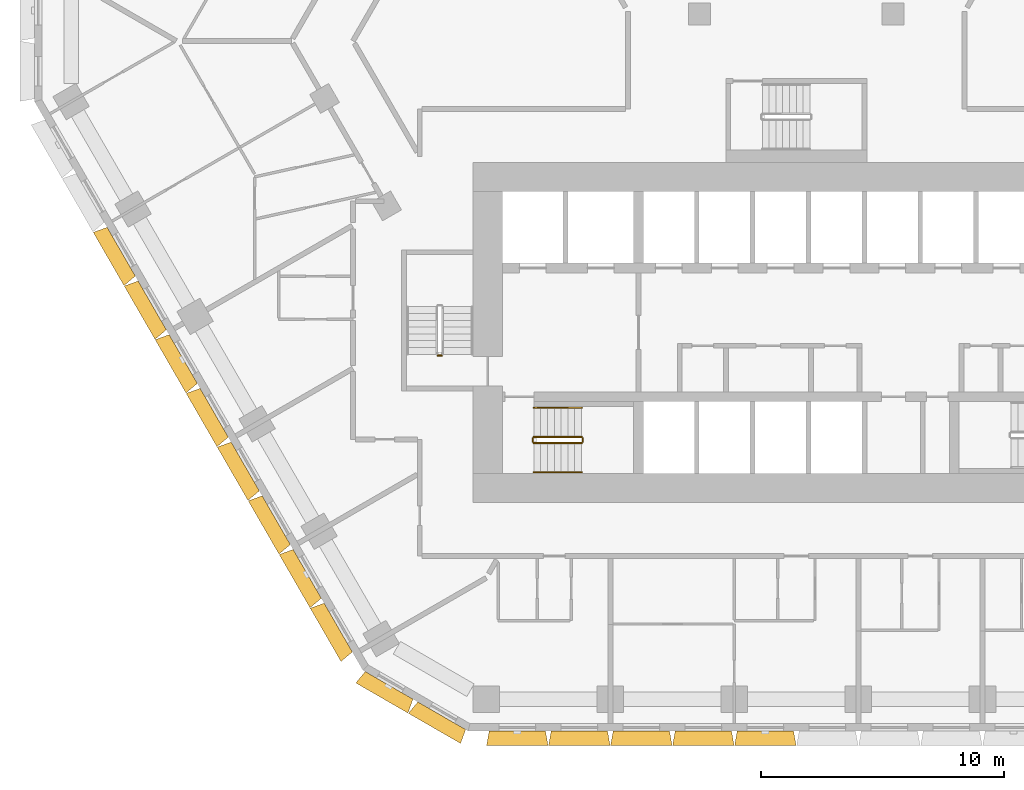
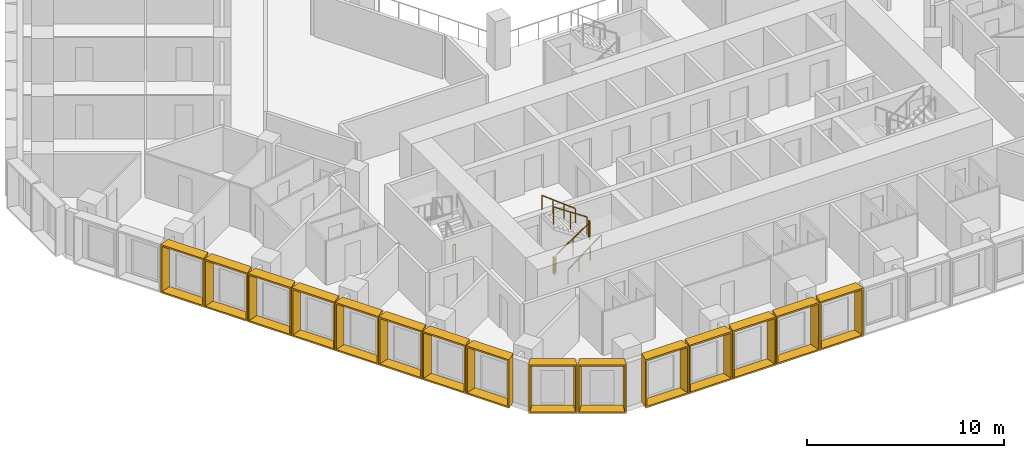
# One storey, part 18 of 21: 15 shading devices, 7 railings.
"""IFC4 building model written with IfcOpenShell, lengths in metres."""

from ifc_helpers import new_model, entity, si_unit, direction, frame, origin, origin_2d, place, context, subcontext, project, spatial, rectangle, extrude, source, transform, mapped, material, type_object, type_shapes, element, save


model = new_model("IFC4")

# Units and contexts
model_context = context("Model", 3, precision=1e-05, world=origin(), true_north=direction((0.0, 1.0)))
body_context = subcontext(model_context, "Body", "Model", "MODEL_VIEW")
ifc_project = project(units=[si_unit("LENGTHUNIT", "METRE"), si_unit("AREAUNIT", "SQUARE_METRE"), si_unit("VOLUMEUNIT", "CUBIC_METRE"), si_unit("PLANEANGLEUNIT", "RADIAN"), si_unit("MASSUNIT", "GRAM", prefix="KILO")], contexts=[model_context])

# Site, building, storey
site_placement = place(None, origin())
site = spatial("IfcSite", under=ifc_project, at=site_placement, CompositionType="ELEMENT")
building_placement = place(site_placement, origin())
building = spatial("IfcBuilding", under=site, at=building_placement, Name="Beryl Residences", CompositionType="ELEMENT")
storey_placement = place(building_placement, frame((0.0, 0.0, 29.39990234375)))
storey = spatial("IfcBuildingStorey", under=building, at=storey_placement, Name="L08", CompositionType="ELEMENT", Elevation=29.39990234375)

# Shading devices
ifc_material_1 = material(Name="Aluminium pale anodised", Category="aluminium")
shading_device_type_1 = type_object("IfcShadingDeviceType", Name="FR250-60A OUTER SKIN frame 600 mm deep, splay 10/10 deg, 2500 x 3000 mm cell", PredefinedType="USERDEFINED", material=ifc_material_1)
cartesian_point_1 = entity("IfcCartesianPoint", [-1.134033203125, 0.0])
cartesian_point_2 = entity("IfcCartesianPoint", [-1.052734375, 0.10009765625])
cartesian_point_3 = entity("IfcCartesianPoint", [-1.23974609375, 0.0])
cartesian_point_4 = entity("IfcCartesianPoint", [-1.158447265625, 0.10009765625])
shared_shape_1 = source(origin(), body_context, "Body", "SweptSolid", [
    entity("IfcExtrudedAreaSolidTapered", entity("IfcArbitraryProfileDefWithVoids", "AREA", None, entity("IfcPolyline", [cartesian_point_1, entity("IfcCartesianPoint", [1.134033203125, 0.0]), entity("IfcCartesianPoint", [1.134033203125, 3.0]), entity("IfcCartesianPoint", [-1.134033203125, 3.0]), cartesian_point_1]), [entity("IfcPolyline", [cartesian_point_2, entity("IfcCartesianPoint", [1.052734375, 0.10009765625]), entity("IfcCartesianPoint", [1.052734375, 2.89990234375]), entity("IfcCartesianPoint", [-1.052734375, 2.89990234375]), cartesian_point_2])]), entity("IfcAxis2Placement3D", entity("IfcCartesianPoint", [0.0, 0.0, 0.0]), entity("IfcDirection", [0.0, 1.0, 0.0]), entity("IfcDirection", [-1.0, 0.0, 0.0])), entity("IfcDirection", [0.0, 0.0, 1.0]), 0.60009765625, entity("IfcArbitraryProfileDefWithVoids", "AREA", None, entity("IfcPolyline", [cartesian_point_3, entity("IfcCartesianPoint", [1.23974609375, 0.0]), entity("IfcCartesianPoint", [1.23974609375, 3.0]), entity("IfcCartesianPoint", [-1.23974609375, 3.0]), cartesian_point_3]), [entity("IfcPolyline", [cartesian_point_4, entity("IfcCartesianPoint", [1.158447265625, 0.10009765625]), entity("IfcCartesianPoint", [1.158447265625, 2.89990234375]), entity("IfcCartesianPoint", [-1.158447265625, 2.89990234375]), cartesian_point_4])])),
])
type_shapes(shading_device_type_1, [shared_shape_1])
for number, where, z_axis, x_axis, name in (
    (1, (-16.758056640625, -26.52490234375, 0.0), (0.0, 0.0, 1.0), (-0.866025403784, 0.5, 0.0), "FR250-60A frame L08 SW-S 1"),
    (2, (-14.593017578125, -27.77490234375, 0.0), (0.0, 0.0, 1.0), (-0.866025403784, 0.5, 0.0), "FR250-60A frame L08 SW-S 2"),
):
    element("IfcShadingDevice", number, at=place(storey_placement, frame(where, z_axis=z_axis, x_axis=x_axis)), inside=storey, type_object=shading_device_type_1, Name=name, ObjectType="OUTER SKIN", PredefinedType="USERDEFINED", context=body_context, shape_type="MappedRepresentation", body=[
        mapped(shared_shape_1, transform((0.0, 0.0, 0.0))),
    ])
ifc_material_2 = material(Name="Aluminium pale anodised", Category="aluminium")
shading_device_type_2 = type_object("IfcShadingDeviceType", Name="FR255-60A OUTER SKIN frame 600 mm deep, splay 10/10 deg, 2550 x 3000 mm cell", PredefinedType="USERDEFINED", material=ifc_material_2)
cartesian_point_5 = entity("IfcCartesianPoint", [-1.158935546875, 0.0])
cartesian_point_6 = entity("IfcCartesianPoint", [-1.077880859375, 0.10009765625])
cartesian_point_7 = entity("IfcCartesianPoint", [-1.264892578125, 0.0])
cartesian_point_8 = entity("IfcCartesianPoint", [-1.18359375, 0.10009765625])
shared_shape_2 = source(origin(), body_context, "Body", "SweptSolid", [
    entity("IfcExtrudedAreaSolidTapered", entity("IfcArbitraryProfileDefWithVoids", "AREA", None, entity("IfcPolyline", [cartesian_point_5, entity("IfcCartesianPoint", [1.158935546875, 0.0]), entity("IfcCartesianPoint", [1.158935546875, 3.0]), entity("IfcCartesianPoint", [-1.158935546875, 3.0]), cartesian_point_5]), [entity("IfcPolyline", [cartesian_point_6, entity("IfcCartesianPoint", [1.077880859375, 0.10009765625]), entity("IfcCartesianPoint", [1.077880859375, 2.89990234375]), entity("IfcCartesianPoint", [-1.077880859375, 2.89990234375]), cartesian_point_6])]), entity("IfcAxis2Placement3D", entity("IfcCartesianPoint", [0.0, 0.0, 0.0]), entity("IfcDirection", [0.0, 1.0, 0.0]), entity("IfcDirection", [-1.0, 0.0, 0.0])), entity("IfcDirection", [0.0, 0.0, 1.0]), 0.60009765625, entity("IfcArbitraryProfileDefWithVoids", "AREA", None, entity("IfcPolyline", [cartesian_point_7, entity("IfcCartesianPoint", [1.264892578125, 0.0]), entity("IfcCartesianPoint", [1.264892578125, 3.0]), entity("IfcCartesianPoint", [-1.264892578125, 3.0]), cartesian_point_7]), [entity("IfcPolyline", [cartesian_point_8, entity("IfcCartesianPoint", [1.18359375, 0.10009765625]), entity("IfcCartesianPoint", [1.18359375, 2.89990234375]), entity("IfcCartesianPoint", [-1.18359375, 2.89990234375]), cartesian_point_8])])),
])
type_shapes(shading_device_type_2, [shared_shape_2])
for number, where, z_axis, x_axis, name in (
    (3, (-27.783935546875, -8.676025390625, 0.0), (0.0, 0.0, 1.0), (-0.5, 0.866025403784, 0.0), "FR255-60A frame L08 SW 3"),
    (4, (-26.508056640625, -10.885986328125, 0.0), (0.0, 0.0, 1.0), (-0.5, 0.866025403784, 0.0), "FR255-60A frame L08 SW 4"),
    (5, (-25.23193359375, -13.095947265625, 0.0), (0.0, 0.0, 1.0), (-0.5, 0.866025403784, 0.0), "FR255-60A frame L08 SW 5"),
    (6, (-23.95703125, -15.305908203125, 0.0), (0.0, 0.0, 1.0), (-0.5, 0.866025403784, 0.0), "FR255-60A frame L08 SW 6"),
    (7, (-22.680908203125, -17.51611328125, 0.0), (0.0, 0.0, 1.0), (-0.5, 0.866025403784, 0.0), "FR255-60A frame L08 SW 7"),
    (8, (-21.405029296875, -19.72607421875, 0.0), (0.0, 0.0, 1.0), (-0.5, 0.866025403784, 0.0), "FR255-60A frame L08 SW 8"),
    (9, (-20.12890625, -21.93603515625, 0.0), (0.0, 0.0, 1.0), (-0.5, 0.866025403784, 0.0), "FR255-60A frame L08 SW 9"),
    (10, (-18.85302734375, -24.14599609375, 0.0), (0.0, 0.0, 1.0), (-0.5, 0.866025403784, 0.0), "FR255-60A frame L08 SW 10"),
    (11, (-11.48291015625, -28.39990234375, 0.0), (0.0, 0.0, 1.0), (-1.0, 0.0, 0.0), "FR255-60A frame L08 S 1"),
    (12, (-8.930908203125, -28.39990234375, 0.0), (0.0, 0.0, 1.0), (-1.0, 0.0, 0.0), "FR255-60A frame L08 S 2"),
    (13, (-6.37890625, -28.39990234375, 0.0), (0.0, 0.0, 1.0), (-1.0, 0.0, 0.0), "FR255-60A frame L08 S 3"),
    (14, (-3.826904296875, -28.39990234375, 0.0), (0.0, 0.0, 1.0), (-1.0, 0.0, 0.0), "FR255-60A frame L08 S 4"),
    (15, (-1.27490234375, -28.39990234375, 0.0), (0.0, 0.0, 1.0), (-1.0, 0.0, 0.0), "FR255-60A frame L08 S 5"),
):
    element("IfcShadingDevice", number, at=place(storey_placement, frame(where, z_axis=z_axis, x_axis=x_axis)), inside=storey, type_object=shading_device_type_2, Name=name, ObjectType="OUTER SKIN", PredefinedType="USERDEFINED", context=body_context, shape_type="MappedRepresentation", body=[
        mapped(shared_shape_2, transform((0.0, 0.0, 0.0))),
    ])

# Railings
ifc_material_3 = material(Name="Stainless steel balustrade with glass infill", Category="steel")
railing_type_1 = type_object("IfcRailingType", Name="SG1 stair guard 1100 mm", PredefinedType="GUARDRAIL", material=ifc_material_3)
railing_1_placement = place(storey_placement, frame((-10.800048828125, -16.550048828125, 0.1875)))
element("IfcRailing", 16, at=railing_1_placement, inside=storey, type_object=railing_type_1, Name="L08 ST-1 stair guard 1", PredefinedType="GUARDRAIL", context=body_context, shape_type="SweptSolid", body=[
    extrude(rectangle(XDim=0.048095703125, YDim=0.048095703125, at=origin_2d()), frame((0.0, 0.0, 1.076171875), z_axis=(0.830902050051, 0.0, 0.556418712142), x_axis=(0.0, 1.0, 0.0)), (0.0, 0.0, 1.0), 2.35888671875),
    extrude(rectangle(XDim=0.0419921875, YDim=0.0419921875, at=origin_2d()), origin(), (0.0, 0.0, 1.0), 1.052001953125),
    extrude(rectangle(XDim=0.0419921875, YDim=0.0419921875, at=origin_2d()), frame((0.97998046875, 0.0, 0.65625)), (0.0, 0.0, 1.0), 1.052001953125),
    extrude(rectangle(XDim=0.0419921875, YDim=0.0419921875, at=origin_2d()), frame((1.9599609375, 0.0, 1.3125)), (0.0, 0.0, 1.0), 1.052001953125),
])
railing_2_placement = place(storey_placement, frame((-8.7900390625, -16.5, 1.5)))
element("IfcRailing", 17, at=railing_2_placement, inside=storey, type_object=railing_type_1, Name="L08 ST-1 stair guard 2", PredefinedType="GUARDRAIL", context=body_context, shape_type="SweptSolid", body=[
    extrude(rectangle(XDim=0.048095703125, YDim=0.048095703125, at=origin_2d()), frame((0.0, 0.0, 1.076171875), z_axis=(0.0, 1.0, 0.0), x_axis=(-1.0, 0.0, 0.0)), (0.0, 0.0, 1.0), 0.14990234375),
    extrude(rectangle(XDim=0.0419921875, YDim=0.0419921875, at=origin_2d()), origin(), (0.0, 0.0, 1.0), 1.052001953125),
    extrude(rectangle(XDim=0.0419921875, YDim=0.0419921875, at=origin_2d()), frame((0.0, 0.14990234375, 0.0)), (0.0, 0.0, 1.0), 1.052001953125),
])
railing_3_placement = place(storey_placement, frame((-8.840087890625, -16.300048828125, 1.6875)))
element("IfcRailing", 18, at=railing_3_placement, inside=storey, type_object=railing_type_1, Name="L08 ST-1 stair guard 3", PredefinedType="GUARDRAIL", context=body_context, shape_type="SweptSolid", body=[
    extrude(rectangle(XDim=0.048095703125, YDim=0.048095703125, at=origin_2d()), frame((0.0, 0.0, 1.076171875), z_axis=(-0.830902050051, 0.0, 0.556418712142), x_axis=(0.0, -1.0, 0.0)), (0.0, 0.0, 1.0), 2.35888671875),
    extrude(rectangle(XDim=0.0419921875, YDim=0.0419921875, at=origin_2d()), origin(), (0.0, 0.0, 1.0), 1.052001953125),
    extrude(rectangle(XDim=0.0419921875, YDim=0.0419921875, at=origin_2d()), frame((-0.97998046875, 0.0, 0.65625)), (0.0, 0.0, 1.0), 1.052001953125),
    extrude(rectangle(XDim=0.0419921875, YDim=0.0419921875, at=origin_2d()), frame((-1.9599609375, 0.0, 1.3125)), (0.0, 0.0, 1.0), 1.052001953125),
])
railing_4_placement = place(storey_placement, frame((-10.85009765625, -16.5, 0.0)))
element("IfcRailing", 19, at=railing_4_placement, inside=storey, type_object=railing_type_1, Name="L08 ST-1 stair guard 4", PredefinedType="GUARDRAIL", context=body_context, shape_type="SweptSolid", body=[
    extrude(rectangle(XDim=0.048095703125, YDim=0.048095703125, at=origin_2d()), frame((0.0, 0.0, 1.076171875), z_axis=(0.0, 1.0, 0.0), x_axis=(-1.0, 0.0, 0.0)), (0.0, 0.0, 1.0), 0.14990234375),
    extrude(rectangle(XDim=0.0419921875, YDim=0.0419921875, at=origin_2d()), origin(), (0.0, 0.0, 1.0), 1.052001953125),
    extrude(rectangle(XDim=0.0419921875, YDim=0.0419921875, at=origin_2d()), frame((0.0, 0.14990234375, 0.0)), (0.0, 0.0, 1.0), 1.052001953125),
])
railing_5_placement = place(storey_placement, frame((-14.60009765625, -12.949951171875, 0.0)))
element("IfcRailing", 20, at=railing_5_placement, inside=storey, type_object=railing_type_1, Name="L08 ST-2 stair guard 4", PredefinedType="GUARDRAIL", context=body_context, shape_type="SweptSolid", body=[
    extrude(rectangle(XDim=0.048095703125, YDim=0.048095703125, at=origin_2d()), frame((0.0, 0.0, 1.076171875), z_axis=(-1.0, 0.0, 0.0), x_axis=(0.0, -1.0, 0.0)), (0.0, 0.0, 1.0), 0.14990234375),
    extrude(rectangle(XDim=0.0419921875, YDim=0.0419921875, at=origin_2d()), origin(), (0.0, 0.0, 1.0), 1.052001953125),
    extrude(rectangle(XDim=0.0419921875, YDim=0.0419921875, at=origin_2d()), frame((-0.14990234375, 0.0, 0.0)), (0.0, 0.0, 1.0), 1.052001953125),
])
ifc_material_4 = material(Name="Stainless steel handrail", Category="steel")
railing_type_2 = type_object("IfcRailingType", Name="SRL1 stair handrail 900 mm", PredefinedType="HANDRAIL", material=ifc_material_4)
railing_6_placement = place(storey_placement, frame((-10.800048828125, -17.75, 0.1875)))
element("IfcRailing", 21, at=railing_6_placement, inside=storey, type_object=railing_type_2, Name="L08 ST-1 stair handrail 1", PredefinedType="HANDRAIL", context=body_context, shape_type="SweptSolid", body=[
    extrude(rectangle(XDim=0.048095703125, YDim=0.048095703125, at=origin_2d()), frame((0.0, 0.0, 0.8759765625), z_axis=(0.794121922505, 0.0, 0.607758481798), x_axis=(0.0, 1.0, 0.0)), (0.0, 0.0, 1.0), 2.468017578125),
    extrude(rectangle(XDim=0.0419921875, YDim=0.0419921875, at=origin_2d()), origin(), (0.0, 0.0, 1.0), 0.851806640625),
    extrude(rectangle(XDim=0.0419921875, YDim=0.0419921875, at=origin_2d()), frame((0.6533203125, 0.0, 0.5)), (0.0, 0.0, 1.0), 0.851806640625),
    extrude(rectangle(XDim=0.0419921875, YDim=0.0419921875, at=origin_2d()), frame((1.306640625, 0.0, 1.0)), (0.0, 0.0, 1.0), 0.851806640625),
    extrude(rectangle(XDim=0.0419921875, YDim=0.0419921875, at=origin_2d()), frame((1.9599609375, 0.0, 1.5)), (0.0, 0.0, 1.0), 0.851806640625),
])
railing_7_placement = place(storey_placement, frame((-8.840087890625, -15.10009765625, 1.6875)))
element("IfcRailing", 22, at=railing_7_placement, inside=storey, type_object=railing_type_2, Name="L08 ST-1 stair handrail 2", PredefinedType="HANDRAIL", context=body_context, shape_type="SweptSolid", body=[
    extrude(rectangle(XDim=0.048095703125, YDim=0.048095703125, at=origin_2d()), frame((0.0, 0.0, 0.8759765625), z_axis=(-0.794121922505, 0.0, 0.607758481798), x_axis=(0.0, -1.0, 0.0)), (0.0, 0.0, 1.0), 2.468017578125),
    extrude(rectangle(XDim=0.0419921875, YDim=0.0419921875, at=origin_2d()), origin(), (0.0, 0.0, 1.0), 0.851806640625),
    extrude(rectangle(XDim=0.0419921875, YDim=0.0419921875, at=origin_2d()), frame((-0.6533203125, 0.0, 0.5)), (0.0, 0.0, 1.0), 0.851806640625),
    extrude(rectangle(XDim=0.0419921875, YDim=0.0419921875, at=origin_2d()), frame((-1.306640625, 0.0, 1.0)), (0.0, 0.0, 1.0), 0.851806640625),
    extrude(rectangle(XDim=0.0419921875, YDim=0.0419921875, at=origin_2d()), frame((-1.9599609375, 0.0, 1.5)), (0.0, 0.0, 1.0), 0.851806640625),
])

save(model, "model.ifc")
